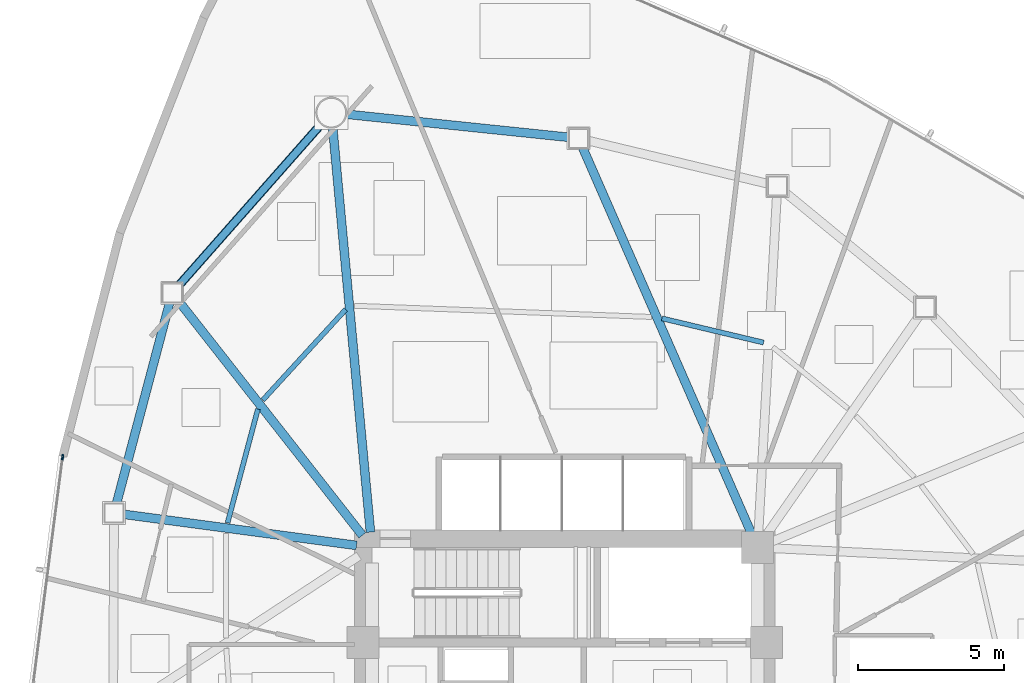
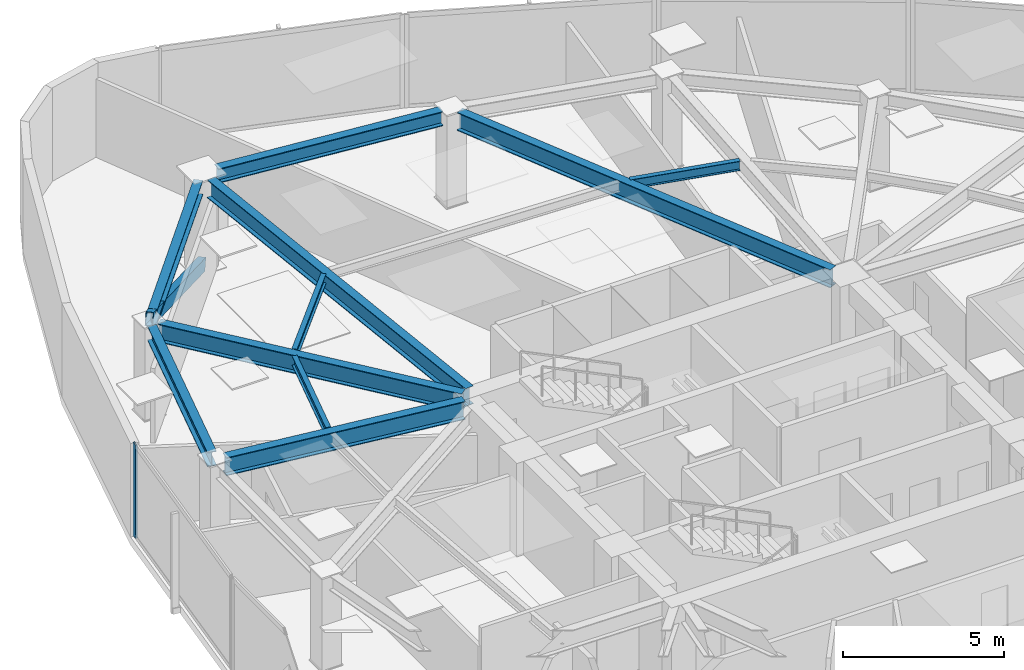
# One storey, part 7 of 17: 10 beams, 2 members, 1 element without a shape of its own.
"""IFC4 building model written with IfcOpenShell, lengths in metres."""

from ifc_helpers import new_model, si_unit, direction, frame, origin, origin_2d, place, context, subcontext, project, spatial, hollow_rectangle, i_section, extrude, source, transform, mapped, material, layer, layer_set, material_profile, profile_set, type_object, type_shapes, element, aggregate, save


model = new_model("IFC4")

# Units and contexts
model_context = context("Model", 3, precision=1e-05, world=origin(), true_north=direction((0.0, 1.0)))
body_context = subcontext(model_context, "Body", "Model", "MODEL_VIEW")
ifc_project = project(units=[si_unit("LENGTHUNIT", "METRE"), si_unit("AREAUNIT", "SQUARE_METRE"), si_unit("VOLUMEUNIT", "CUBIC_METRE"), si_unit("PLANEANGLEUNIT", "RADIAN"), si_unit("MASSUNIT", "GRAM", prefix="KILO")], contexts=[model_context])

# Site, building, storey
site_placement = place(None, origin())
site = spatial("IfcSite", under=ifc_project, at=site_placement, CompositionType="ELEMENT")
building_placement = place(site_placement, origin())
building = spatial("IfcBuilding", under=site, at=building_placement, Name="Tavelor Broadcast Tower", CompositionType="ELEMENT")
storey_placement = place(building_placement, frame((0.0, 0.0, 142.550048828125)))
storey = spatial("IfcBuildingStorey", under=building, at=storey_placement, Name="L33", CompositionType="ELEMENT", Elevation=142.550048828125)

# Beams
ifc_material_1 = material(Name="Steel S355", Category="steel")
ifc_material_profile_1 = material_profile(ifc_material_1, i_section(OverallWidth=0.169921875, OverallDepth=0.360107421875, WebThickness=0.008056640625, FlangeThickness=0.0126953125, at=origin_2d()), Name="IPE 360")
ifc_profile_set_1 = profile_set([ifc_material_profile_1], Name="Steel S355")
beam_type_1 = type_object("IfcBeamType", Name="Composite Floor Joist T3 IPE 360", PredefinedType="JOIST", material=ifc_profile_set_1)
beam_1_placement = place(storey_placement, frame((42.505126953125, 59.344970703125, 3.369873046875), z_axis=(-0.675177020038, -0.737655740581, 0.0), x_axis=(0.737655740581, -0.675177020038, 0.0)))
element("IfcBeam", 1, at=beam_1_placement, inside=storey, type_object=beam_type_1, Name="L33 Secondary Composite Floor Joist 01", PredefinedType="JOIST", context=body_context, shape_type="SweptSolid", body=[
    extrude(i_section(OverallWidth=0.169921875, OverallDepth=0.360107421875, WebThickness=0.008056640625, FlangeThickness=0.0126953125, at=origin_2d()), origin(), (0.0, 0.0, 1.0), 4.20068359375),
])
beam_2_placement = place(storey_placement, frame((39.5, 55.937744140625, 3.369873046875), z_axis=(-0.257647578953, -0.966238958571, 0.0), x_axis=(0.966238958571, -0.257647578953, 0.0)))
element("IfcBeam", 2, at=beam_2_placement, inside=storey, type_object=beam_type_1, Name="L33 Secondary Composite Floor Joist 02", PredefinedType="JOIST", context=body_context, shape_type="SweptSolid", body=[
    extrude(i_section(OverallWidth=0.169921875, OverallDepth=0.360107421875, WebThickness=0.008056640625, FlangeThickness=0.0126953125, at=origin_2d()), origin(), (0.0, 0.0, 1.0), 4.032958984375),
])
beam_3_placement = place(storey_placement, frame((56.80517578125, 58.21240234375, 3.369873046875), z_axis=(-0.972854549724, 0.231417426056, 0.0), x_axis=(-0.231417426056, -0.972854549724, 0.0)))
element("IfcBeam", 3, at=beam_3_placement, inside=storey, type_object=beam_type_1, Name="L33 Secondary Composite Floor Joist 17", PredefinedType="JOIST", context=body_context, shape_type="SweptSolid", body=[
    extrude(i_section(OverallWidth=0.169921875, OverallDepth=0.360107421875, WebThickness=0.008056640625, FlangeThickness=0.0126953125, at=origin_2d()), origin(), (0.0, 0.0, 1.0), 3.575439453125),
])
ifc_material_profile_2 = material_profile(ifc_material_1, i_section(OverallWidth=0.300048828125, OverallDepth=0.550048828125, WebThickness=0.014892578125, FlangeThickness=0.029052734375, at=origin_2d()), Name="HEB 550")
ifc_profile_set_2 = profile_set([ifc_material_profile_2], Name="Steel S355")
beam_type_2 = type_object("IfcBeamType", Name="Perimeter Spandrel Beam T3 HEB 550", PredefinedType="SPANDREL", material=ifc_profile_set_2)
beam_4_placement = place(storey_placement, frame((41.67236328125, 65.69580078125, 3.27490234375), z_axis=(-0.661628202511, -0.749832062292, 0.0), x_axis=(0.749832062292, -0.661628202511, 0.0)))
element("IfcBeam", 4, at=beam_4_placement, inside=storey, type_object=beam_type_2, Name="L33 Framed-Tube Ring Spandrel 01", PredefinedType="SPANDREL", context=body_context, shape_type="SweptSolid", body=[
    extrude(i_section(OverallWidth=0.300048828125, OverallDepth=0.550048828125, WebThickness=0.014892578125, FlangeThickness=0.029052734375, at=origin_2d()), origin(), (0.0, 0.0, 1.0), 7.379150390625),
])
beam_5_placement = place(storey_placement, frame((36.481689453125, 59.5859375, 3.27490234375), z_axis=(-0.255779440044, -0.966735164381, 0.0), x_axis=(0.966735164381, -0.255779440044, 0.0)))
element("IfcBeam", 5, at=beam_5_placement, inside=storey, type_object=beam_type_2, Name="L33 Framed-Tube Ring Spandrel 02", PredefinedType="SPANDREL", context=body_context, shape_type="SweptSolid", body=[
    extrude(i_section(OverallWidth=0.300048828125, OverallDepth=0.550048828125, WebThickness=0.014892578125, FlangeThickness=0.029052734375, at=origin_2d()), origin(), (0.0, 0.0, 1.0), 7.11865234375),
])
beam_6_placement = place(storey_placement, frame((50.13818359375, 65.23681640625, 3.27490234375), z_axis=(-0.994661371522, 0.103192809834, 0.0), x_axis=(-0.103192809834, -0.994661371522, 0.0)))
element("IfcBeam", 6, at=beam_6_placement, inside=storey, type_object=beam_type_2, Name="L33 Framed-Tube Ring Spandrel 18", PredefinedType="SPANDREL", context=body_context, shape_type="SweptSolid", body=[
    extrude(i_section(OverallWidth=0.300048828125, OverallDepth=0.550048828125, WebThickness=0.014892578125, FlangeThickness=0.029052734375, at=origin_2d()), origin(), (0.0, 0.0, 1.0), 7.658203125),
])

# Member
ifc_material_profile_3 = material_profile(ifc_material_1, hollow_rectangle(XDim=0.25, YDim=0.449951171875, WallThickness=0.02001953125, at=origin_2d()), Name="RHS 450x250x20")
ifc_profile_set_3 = profile_set([ifc_material_profile_3], Name="Steel S355")
member_type_1 = type_object("IfcMemberType", Name="Perimeter Tube Brace T3 RHS 450x250x20", PredefinedType="BRACE", material=ifc_profile_set_3)
member_1_placement = place(storey_placement, frame((42.01123046875, 66.080078125, 0.0), z_axis=(-0.607484590691, -0.688484352459, 0.396171387776), x_axis=(0.74983872131, -0.661620655681, 0.0)))
element("IfcMember", 7, at=member_1_placement, inside=storey, type_object=member_type_1, Name="L33 Corner Tube Diagonal Brace 1", PredefinedType="BRACE", context=body_context, shape_type="SweptSolid", body=[
    extrude(hollow_rectangle(XDim=0.25, YDim=0.449951171875, WallThickness=0.02001953125, at=origin_2d()), origin(), (0.0, 0.0, 1.0), 8.9609375),
])

# Beams
ifc_material_profile_4 = material_profile(ifc_material_1, i_section(OverallWidth=0.300048828125, OverallDepth=0.68994140625, WebThickness=0.014404296875, FlangeThickness=0.027099609375, at=origin_2d()), Name="HEA 700")
ifc_profile_set_4 = profile_set([ifc_material_profile_4], Name="Steel S355")
beam_type_3 = type_object("IfcBeamType", Name="Radial Floor Girder T3 HEA 700", PredefinedType="BEAM", material=ifc_profile_set_4)
beam_7_placement = place(storey_placement, frame((43.350830078125, 51.7255859375, 3.204833984375), z_axis=(-0.092918079293, 0.995673757081, 0.0), x_axis=(-0.995673757081, -0.092918079293, 0.0)))
element("IfcBeam", 8, at=beam_7_placement, inside=storey, type_object=beam_type_3, Name="L33 Radial Primary Floor Girder 01", PredefinedType="BEAM", context=body_context, shape_type="SweptSolid", body=[
    extrude(i_section(OverallWidth=0.300048828125, OverallDepth=0.68994140625, WebThickness=0.014404296875, FlangeThickness=0.027099609375, at=origin_2d()), origin(), (0.0, 0.0, 1.0), 13.904541015625),
])
beam_8_placement = place(storey_placement, frame((43.07421875, 51.615478515625, 3.204833984375), z_axis=(-0.617166360417, 0.786832690964, 0.0), x_axis=(-0.786832690964, -0.617166360417, 0.0)))
element("IfcBeam", 9, at=beam_8_placement, inside=storey, type_object=beam_type_3, Name="L33 Radial Primary Floor Girder 02", PredefinedType="BEAM", context=body_context, shape_type="SweptSolid", body=[
    extrude(i_section(OverallWidth=0.300048828125, OverallDepth=0.68994140625, WebThickness=0.014404296875, FlangeThickness=0.027099609375, at=origin_2d()), origin(), (0.0, 0.0, 1.0), 10.20654296875),
])
beam_9_placement = place(storey_placement, frame((42.876708984375, 51.27001953125, 3.204833984375), z_axis=(-0.991191527329, 0.132436234281, 0.0), x_axis=(-0.132436234281, -0.991191527329, 0.0)))
element("IfcBeam", 10, at=beam_9_placement, inside=storey, type_object=beam_type_3, Name="L33 Radial Primary Floor Girder 03", PredefinedType="BEAM", context=body_context, shape_type="SweptSolid", body=[
    extrude(i_section(OverallWidth=0.300048828125, OverallDepth=0.68994140625, WebThickness=0.014404296875, FlangeThickness=0.027099609375, at=origin_2d()), origin(), (0.0, 0.0, 1.0), 8.039306640625),
])
beam_10_placement = place(storey_placement, frame((56.38818359375, 51.68359375, 3.204833984375), z_axis=(-0.400896102053, 0.916123526255, 0.0), x_axis=(-0.916123526255, -0.400896102053, 0.0)))
element("IfcBeam", 11, at=beam_10_placement, inside=storey, type_object=beam_type_3, Name="L33 Radial Primary Floor Girder 18", PredefinedType="BEAM", context=body_context, shape_type="SweptSolid", body=[
    extrude(i_section(OverallWidth=0.300048828125, OverallDepth=0.68994140625, WebThickness=0.014404296875, FlangeThickness=0.027099609375, at=origin_2d()), origin(), (0.0, 0.0, 1.0), 14.420166015625),
])

# Curtain wall, member
ifc_material_2 = material(Name="Architectural Anodized Aluminium", Category="aluminium")
ifc_layer = layer(ifc_material_2, 0.18994140625)
ifc_layer_set = layer_set([ifc_layer], Name="Architectural Anodized Aluminium")
curtain_wall_type = type_object("IfcCurtainWallType", Name="Tower Mid-Zone Acoustic Curtain Wall CW03", PredefinedType="NOTDEFINED", material=ifc_layer_set)
curtain_wall_placement = place(storey_placement, origin())
curtain_wall = element("IfcCurtainWall", 12, at=curtain_wall_placement, inside=storey, type_object=curtain_wall_type, Name="L33 Curtain Wall CW03 Run 337", PredefinedType="NOTDEFINED")
ifc_material_profile_5 = material_profile(ifc_material_2, hollow_rectangle(XDim=0.068115234375, YDim=0.18994140625, WallThickness=0.02197265625, at=origin_2d()), Name="RHS 68x190x22")
ifc_profile_set_5 = profile_set([ifc_material_profile_5], Name="Architectural Anodized Aluminium")
member_type_2 = type_object("IfcMemberType", Name="CW03 Extruded Aluminium Mullion 68x190", PredefinedType="MULLION", material=ifc_profile_set_5)
shared_shape = source(origin(), body_context, "Body", "SweptSolid", [
    extrude(hollow_rectangle(XDim=0.068115234375, YDim=0.18994140625, WallThickness=0.02197265625, at=origin_2d()), origin(), (0.0, 0.0, 1.0), 3.550048828125),
])
type_shapes(member_type_2, [shared_shape])
member_2_placement = place(storey_placement, frame((32.817626953125, 54.288818359375, 0.0), z_axis=(0.0, 0.0, 1.0), x_axis=(0.991726345724, -0.128369993365, 0.0)))
member_2 = element("IfcMember", 13, at=member_2_placement, type_object=member_type_2, Name="CW03 mullion 1", PredefinedType="MULLION", context=body_context, shape_type="MappedRepresentation", body=[
    mapped(shared_shape, transform((0.0, 0.0, 0.0), scale=1.0)),
])
aggregate(curtain_wall, [member_2])

save(model, "model.ifc")
